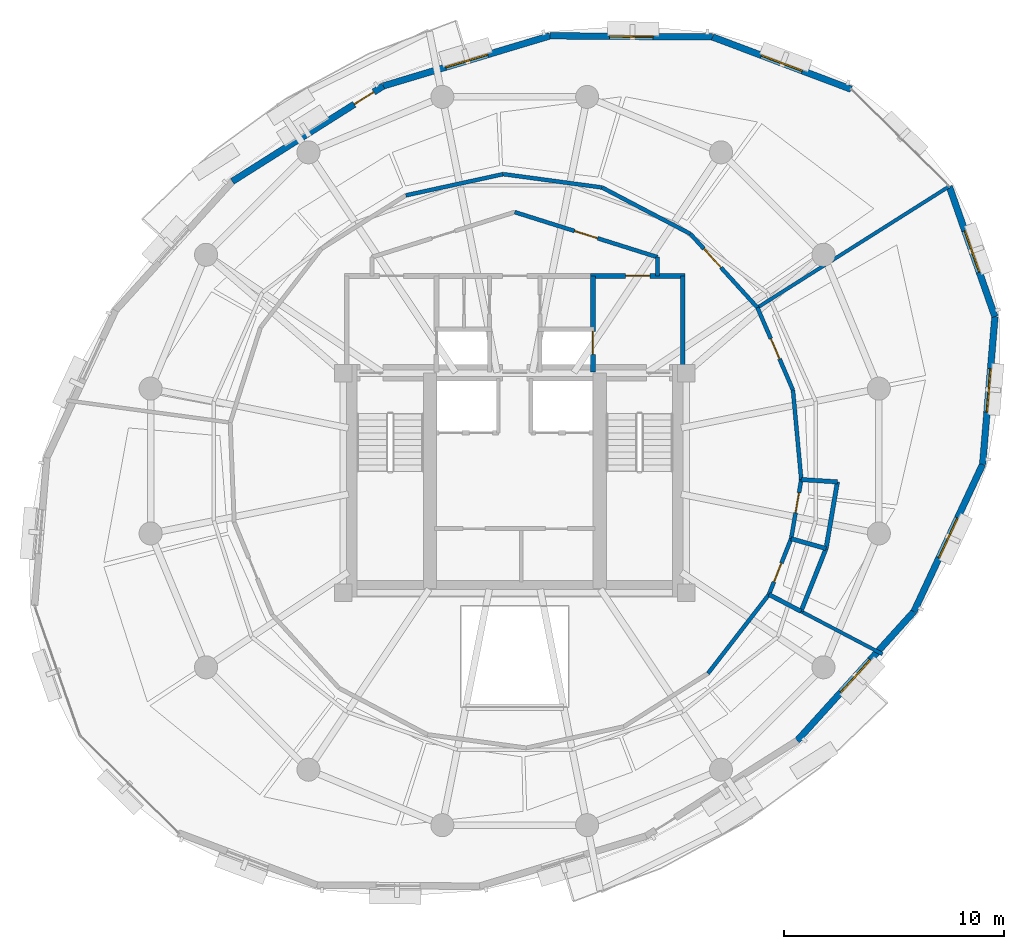
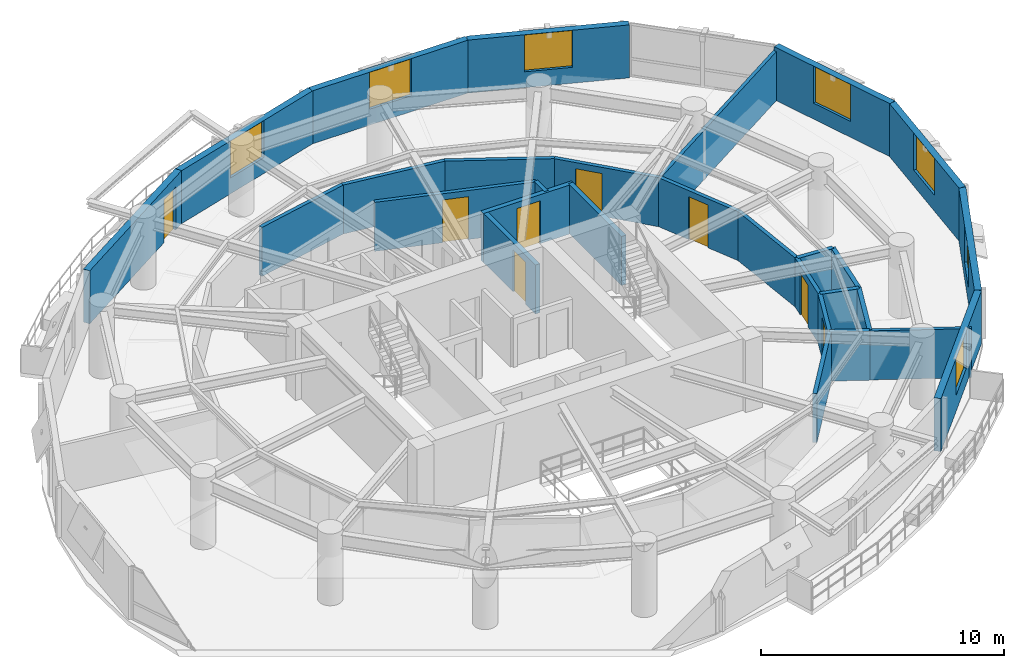
# One storey, part 9 of 12: 29 walls, 8 doors, 7 windows, 15 openings.
"""IFC4 building model written with IfcOpenShell, lengths in metres."""

from ifc_helpers import new_model, si_unit, direction, frame, frame_2d, origin, place, context, subcontext, project, spatial, rectangle, extrude, material, layer, layer_set, type_object, element, fill, save


model = new_model("IFC4")

# Units and contexts
model_context = context("Model", 3, precision=1e-05, world=origin(), true_north=direction((0.0, 1.0)))
body_context = subcontext(model_context, "Body", "Model", "MODEL_VIEW")
ifc_project = project(units=[si_unit("LENGTHUNIT", "METRE"), si_unit("AREAUNIT", "SQUARE_METRE"), si_unit("VOLUMEUNIT", "CUBIC_METRE"), si_unit("PLANEANGLEUNIT", "RADIAN"), si_unit("MASSUNIT", "GRAM", prefix="KILO"), si_unit("THERMODYNAMICTEMPERATUREUNIT", "KELVIN"), si_unit("POWERUNIT", "WATT")], contexts=[model_context])

# Site, building, storey
site_placement = place(None, origin())
site = spatial("IfcSite", under=ifc_project, at=site_placement, CompositionType="ELEMENT")
building_placement = place(site_placement, origin())
building = spatial("IfcBuilding", under=site, at=building_placement, Name="Ocrelia Relay Tower", CompositionType="ELEMENT")
storey_placement = place(building_placement, frame((0.0, 0.0, 170.0)))
storey = spatial("IfcBuildingStorey", under=building, at=storey_placement, Name="L40", CompositionType="ELEMENT", Elevation=170.0)

# Wall
ifc_material_1 = material(Name="Gypsum Fireboard Partition EI60", Category="gypsum")
ifc_layer_1 = layer(ifc_material_1, 0.179931640625, Name="Gypsum Fireboard Partition EI60")
ifc_layer_set_1 = layer_set([ifc_layer_1], Name="Gypsum Fireboard Partition EI60")
wall_type_1 = type_object("IfcWallType", Name="W-CORR-EI60-180", PredefinedType="PARTITIONING", material=ifc_layer_set_1)
wall_1_placement = place(storey_placement, frame((40.5, 35.280029296875, 0.0), z_axis=(0.0, 0.0, 1.0), x_axis=(0.0, -1.0, 0.0)))
element("IfcWall", 1, at=wall_1_placement, inside=storey, type_object=wall_type_1, Name="L40 Smoke Lobby East Return", PredefinedType="PARTITIONING", context=body_context, shape_type="SweptSolid", body=[
    extrude(rectangle(XDim=0.85009765625, YDim=0.179931640625, at=frame_2d((0.425048828125, 0.0))), origin(), (0.0, 0.0, 1.0), 2.4599609375),
])

# Wall, opening, door
wall_2_placement = place(storey_placement, frame((34.0, 37.330078125, 0.0), z_axis=(0.0, 0.0, 1.0), x_axis=(0.953691418528, -0.300786765376, 0.0)))
wall_2 = element("IfcWall", 2, at=wall_2_placement, inside=storey, type_object=wall_type_1, Name="L40 North Smoke Lobby E Screen Wall", PredefinedType="PARTITIONING", context=body_context, shape_type="SweptSolid", body=[
    extrude(rectangle(XDim=6.815673828125, YDim=0.179931640625, at=frame_2d((3.40771484375, 0.0))), origin(), (0.0, 0.0, 1.0), 2.4599609375),
])
opening_1_placement = place(wall_2_placement, frame((2.85791015625, 0.0, 0.0)))
opening_1 = element("IfcOpeningElement", 3, at=opening_1_placement, cuts=wall_2, Name="Opening D-FD60", PredefinedType="OPENING", context=body_context, shape_type="SweptSolid", body=[
    extrude(rectangle(XDim=1.10009765625, YDim=2.14990234375, at=frame_2d((0.550048828125, 1.074951171875))), frame((0.0, 0.10009765625, 0.0), z_axis=(0.0, -1.0, 0.0), x_axis=(1.0, 0.0, 0.0)), (0.0, 0.0, 1.0), 0.199951171875),
])
ifc_material_2 = material(Name="Timber-core 60-min acoustic fire door", Category="wood")
door_type_1 = type_object("IfcDoorType", Name="DR-LOBBY-FD60-1100", OperationType="NOTDEFINED", PredefinedType="DOOR", material=ifc_material_2)
door_1_placement = place(opening_1_placement, origin())
door_1 = element("IfcDoor", 4, at=door_1_placement, inside=storey, type_object=door_type_1, Name="L40 North Smoke Lobby E Fire Door", OperationType="SINGLE_SWING_LEFT", OverallHeight=2.14990234375, OverallWidth=1.10009765625, PredefinedType="DOOR", context=body_context, shape_type="SweptSolid", body=[
    extrude(rectangle(XDim=1.10009765625, YDim=2.14990234375, at=frame_2d((0.550048828125, 1.074951171875))), frame((0.0, 0.02490234375, 0.0), z_axis=(0.0, -1.0, 0.0), x_axis=(1.0, 0.0, 0.0)), (0.0, 0.0, 1.0), 0.050048828125),
])
fill(opening_1, door_1)

wall_3_placement = place(storey_placement, frame((45.572021484375, 19.924560546875, 0.0), z_axis=(0.0, 0.0, 1.0), x_axis=(0.369803470727, 0.929110000505, 0.0)))
wall_3 = element("IfcWall", 5, at=wall_3_placement, inside=storey, type_object=wall_type_1, Name="L40 Staff Toilet Corridor Wall", PredefinedType="PARTITIONING", context=body_context, shape_type="SweptSolid", body=[
    extrude(rectangle(XDim=2.732421875, YDim=0.179931640625, at=frame_2d((1.3662109375, 0.0))), origin(), (0.0, 0.0, 1.0), 2.4599609375),
])
opening_2_placement = place(wall_3_placement, frame((0.61572265625, 0.0, 0.0)))
opening_2 = element("IfcOpeningElement", 6, at=opening_2_placement, cuts=wall_3, Name="Opening D-WC92", PredefinedType="OPENING", context=body_context, shape_type="SweptSolid", body=[
    extrude(rectangle(XDim=0.919921875, YDim=2.10009765625, at=frame_2d((0.4599609375, 1.050048828125))), frame((0.0, 0.10009765625, 0.0), z_axis=(0.0, -1.0, 0.0), x_axis=(1.0, 0.0, 0.0)), (0.0, 0.0, 1.0), 0.199951171875),
])
ifc_material_3 = material(Name="Laminate washroom door", Category="wood")
door_type_2 = type_object("IfcDoorType", Name="DR-WC-920", OperationType="NOTDEFINED", PredefinedType="DOOR", material=ifc_material_3)
door_2_placement = place(opening_2_placement, origin())
door_2 = element("IfcDoor", 7, at=door_2_placement, inside=storey, type_object=door_type_2, Name="L40 Staff Toilet Door", OperationType="SINGLE_SWING_RIGHT", OverallHeight=2.10009765625, OverallWidth=0.919921875, PredefinedType="DOOR", context=body_context, shape_type="SweptSolid", body=[
    extrude(rectangle(XDim=0.919921875, YDim=2.10009765625, at=frame_2d((0.4599609375, 1.050048828125))), frame((0.0, 0.02490234375, 0.0), z_axis=(0.0, -1.0, 0.0), x_axis=(1.0, 0.0, 0.0)), (0.0, 0.0, 1.0), 0.050048828125),
])
fill(opening_2, door_2)

wall_4_placement = place(storey_placement, frame((46.58251953125, 22.46337890625, 0.0), z_axis=(0.0, 0.0, 1.0), x_axis=(0.168440467482, 0.985711828535, 0.0)))
wall_4 = element("IfcWall", 8, at=wall_4_placement, inside=storey, type_object=wall_type_1, Name="L40 Accessible Toilet Corridor Wall", PredefinedType="PARTITIONING", context=body_context, shape_type="SweptSolid", body=[
    extrude(rectangle(XDim=2.732177734375, YDim=0.179931640625, at=frame_2d((1.3662109375, 0.0))), origin(), (0.0, 0.0, 1.0), 2.4599609375),
])
opening_3_placement = place(wall_4_placement, frame((1.19677734375, 0.0, 0.0)))
opening_3 = element("IfcOpeningElement", 9, at=opening_3_placement, cuts=wall_4, Name="Opening D-WC92", PredefinedType="OPENING", context=body_context, shape_type="SweptSolid", body=[
    extrude(rectangle(XDim=0.919921875, YDim=2.10009765625, at=frame_2d((0.4599609375, 1.050048828125))), frame((0.0, 0.10009765625, 0.0), z_axis=(0.0, -1.0, 0.0), x_axis=(1.0, 0.0, 0.0)), (0.0, 0.0, 1.0), 0.199951171875),
])
door_3_placement = place(opening_3_placement, origin())
door_3 = element("IfcDoor", 10, at=door_3_placement, inside=storey, type_object=door_type_2, Name="L40 Accessible Toilet Door", OperationType="SINGLE_SWING_LEFT", OverallHeight=2.10009765625, OverallWidth=0.919921875, PredefinedType="DOOR", context=body_context, shape_type="SweptSolid", body=[
    extrude(rectangle(XDim=0.919921875, YDim=2.10009765625, at=frame_2d((0.4599609375, 1.050048828125))), frame((0.0, 0.02490234375, 0.0), z_axis=(0.0, -1.0, 0.0), x_axis=(1.0, 0.0, 0.0)), (0.0, 0.0, 1.0), 0.050048828125),
])
fill(opening_3, door_3)

# Wall
wall_5_placement = place(storey_placement, frame((47.042724609375, 25.156494140625, 0.0), z_axis=(0.0, 0.0, 1.0), x_axis=(-0.092360448677, 0.995725638678, 0.0)))
element("IfcWall", 11, at=wall_5_placement, inside=storey, type_object=wall_type_1, Name="L40 Spectrum Operations Office Corridor Partition 1", PredefinedType="PARTITIONING", context=body_context, shape_type="SweptSolid", body=[
    extrude(rectangle(XDim=4.08935546875, YDim=0.179931640625, at=frame_2d((2.044677734375, 0.0))), origin(), (0.0, 0.0, 1.0), 2.4599609375),
])

# Wall, opening, door
wall_6_placement = place(storey_placement, frame((46.6650390625, 29.228271484375, 0.0), z_axis=(0.0, 0.0, 1.0), x_axis=(-0.395547192087, 0.918445653717, 0.0)))
wall_6 = element("IfcWall", 12, at=wall_6_placement, inside=storey, type_object=wall_type_1, Name="L40 Spectrum Operations Office Corridor Partition 2", PredefinedType="PARTITIONING", context=body_context, shape_type="SweptSolid", body=[
    extrude(rectangle(XDim=4.089111328125, YDim=0.179931640625, at=frame_2d((2.04443359375, 0.0))), origin(), (0.0, 0.0, 1.0), 2.4599609375),
])
opening_4_placement = place(wall_6_placement, frame((1.544677734375, 0.0, 0.0)))
opening_4 = element("IfcOpeningElement", 13, at=opening_4_placement, cuts=wall_6, Name="Opening D-RM100", PredefinedType="OPENING", context=body_context, shape_type="SweptSolid", body=[
    extrude(rectangle(XDim=1.0, YDim=2.14990234375, at=frame_2d((0.5, 1.074951171875))), frame((0.0, 0.10009765625, 0.0), z_axis=(0.0, -1.0, 0.0), x_axis=(1.0, 0.0, 0.0)), (0.0, 0.0, 1.0), 0.199951171875),
])
ifc_material_4 = material(Name="Acoustic oak veneer fire door", Category="wood")
door_type_3 = type_object("IfcDoorType", Name="DR-ROOM-FD60-1000", OperationType="NOTDEFINED", PredefinedType="DOOR", material=ifc_material_4)
door_4_placement = place(opening_4_placement, origin())
door_4 = element("IfcDoor", 14, at=door_4_placement, inside=storey, type_object=door_type_3, Name="L40 Spectrum Operations Office Entrance Door", OperationType="SINGLE_SWING_RIGHT", OverallHeight=2.14990234375, OverallWidth=1.0, PredefinedType="DOOR", context=body_context, shape_type="SweptSolid", body=[
    extrude(rectangle(XDim=1.0, YDim=2.14990234375, at=frame_2d((0.5, 1.074951171875))), frame((0.0, 0.02490234375, 0.0), z_axis=(0.0, -1.0, 0.0), x_axis=(1.0, 0.0, 0.0)), (0.0, 0.0, 1.0), 0.050048828125),
])
fill(opening_4, door_4)

wall_7_placement = place(storey_placement, frame((45.047607421875, 32.98388671875, 0.0), z_axis=(0.0, 0.0, 1.0), x_axis=(-0.673002003664, 0.739640658066, 0.0)))
wall_7 = element("IfcWall", 15, at=wall_7_placement, inside=storey, type_object=wall_type_1, Name="L40 Cloud Engineering Workspace Corridor Partition 1", PredefinedType="PARTITIONING", context=body_context, shape_type="SweptSolid", body=[
    extrude(rectangle(XDim=4.539306640625, YDim=0.179931640625, at=frame_2d((2.26953125, 0.0))), origin(), (0.0, 0.0, 1.0), 2.4599609375),
])
opening_5_placement = place(wall_7_placement, frame((2.466796875, 0.0, 0.0)))
opening_5 = element("IfcOpeningElement", 16, at=opening_5_placement, cuts=wall_7, Name="Opening D-RM115", PredefinedType="OPENING", context=body_context, shape_type="SweptSolid", body=[
    extrude(rectangle(XDim=1.14990234375, YDim=2.14990234375, at=frame_2d((0.574951171875, 1.074951171875))), frame((0.0, 0.10009765625, 0.0), z_axis=(0.0, -1.0, 0.0), x_axis=(1.0, 0.0, 0.0)), (0.0, 0.0, 1.0), 0.199951171875),
])
ifc_material_5 = material(Name="Wide acoustic oak veneer fire door", Category="wood")
door_type_4 = type_object("IfcDoorType", Name="DR-ROOM-1150", OperationType="NOTDEFINED", PredefinedType="DOOR", material=ifc_material_5)
door_5_placement = place(opening_5_placement, origin())
door_5 = element("IfcDoor", 17, at=door_5_placement, inside=storey, type_object=door_type_4, Name="L40 Cloud Engineering Workspace Entrance Door", OperationType="SINGLE_SWING_LEFT", OverallHeight=2.14990234375, OverallWidth=1.14990234375, PredefinedType="DOOR", context=body_context, shape_type="SweptSolid", body=[
    extrude(rectangle(XDim=1.14990234375, YDim=2.14990234375, at=frame_2d((0.574951171875, 1.074951171875))), frame((0.0, 0.02490234375, 0.0), z_axis=(0.0, -1.0, 0.0), x_axis=(1.0, 0.0, 0.0)), (0.0, 0.0, 1.0), 0.050048828125),
])
fill(opening_5, door_5)

# Walls
wall_8_placement = place(storey_placement, frame((41.99267578125, 36.34130859375, 0.0), z_axis=(0.0, 0.0, 1.0), x_axis=(-0.885387941707, 0.464852872079, 0.0)))
element("IfcWall", 18, at=wall_8_placement, inside=storey, type_object=wall_type_1, Name="L40 Cloud Engineering Workspace Corridor Partition 2", PredefinedType="PARTITIONING", context=body_context, shape_type="SweptSolid", body=[
    extrude(rectangle(XDim=4.539306640625, YDim=0.179931640625, at=frame_2d((2.26953125, 0.0))), origin(), (0.0, 0.0, 1.0), 2.4599609375),
])
wall_9_placement = place(storey_placement, frame((37.9736328125, 38.451416015625, 0.0), z_axis=(0.0, 0.0, 1.0), x_axis=(-0.990983360639, 0.133984995189, 0.0)))
element("IfcWall", 19, at=wall_9_placement, inside=storey, type_object=wall_type_1, Name="L40 Cloud Engineering Workspace Corridor Partition 3", PredefinedType="PARTITIONING", context=body_context, shape_type="SweptSolid", body=[
    extrude(rectangle(XDim=4.5390625, YDim=0.179931640625, at=frame_2d((2.26953125, 0.0))), origin(), (0.0, 0.0, 1.0), 2.4599609375),
])
wall_10_placement = place(storey_placement, frame((33.4755859375, 39.0595703125, 0.0), z_axis=(0.0, 0.0, 1.0), x_axis=(-0.97704365497, -0.213039189548, 0.0)))
element("IfcWall", 20, at=wall_10_placement, inside=storey, type_object=wall_type_1, Name="L40 Cloud Engineering Workspace Corridor Partition 4", PredefinedType="PARTITIONING", context=body_context, shape_type="SweptSolid", body=[
    extrude(rectangle(XDim=4.539306640625, YDim=0.179931640625, at=frame_2d((2.26953125, 0.0))), origin(), (0.0, 0.0, 1.0), 2.4599609375),
])
wall_11_placement = place(storey_placement, frame((42.79638671875, 16.3330078125, 0.0), z_axis=(0.0, 0.0, 1.0), x_axis=(0.611494954268, 0.791248330744, 0.0)))
element("IfcWall", 21, at=wall_11_placement, inside=storey, type_object=wall_type_1, Name="L40 Protocol Simulation Studio Corridor Partition 8", PredefinedType="PARTITIONING", context=body_context, shape_type="SweptSolid", body=[
    extrude(rectangle(XDim=4.5390625, YDim=0.179931640625, at=frame_2d((2.26953125, 0.0))), origin(), (0.0, 0.0, 1.0), 2.4599609375),
])

# Wall, opening, window
ifc_material_6 = material(Name="Precast concrete C40/50 with oxide terracotta", Category="masonry")
ifc_layer_2 = layer(ifc_material_6, 0.300048828125, Name="Precast concrete C40/50 with oxide terracotta")
ifc_layer_set_2 = layer_set([ifc_layer_2], Name="Precast concrete C40/50 with oxide terracotta")
wall_type_2 = type_object("IfcWallType", Name="W-EXT-TERR-300", PredefinedType="SOLIDWALL", material=ifc_layer_set_2)
wall_12_placement = place(storey_placement, frame((49.31494140625, 42.924560546875, 0.0), z_axis=(0.0, 0.0, 1.0), x_axis=(-0.935714914353, 0.352757138917, 0.0)))
wall_12 = element("IfcWall", 22, at=wall_12_placement, inside=storey, type_object=wall_type_2, Name="L40 Oxide Terracotta Facade Wall 02", PredefinedType="SOLIDWALL", context=body_context, shape_type="SweptSolid", body=[
    extrude(rectangle(XDim=6.7451171875, YDim=0.300048828125, at=frame_2d((3.37255859375, 0.0))), origin(), (0.0, 0.0, 1.0), 2.659912109375),
])
opening_6_placement = place(wall_12_placement, frame((2.373046875, 0.0, 0.800048828125)))
opening_6 = element("IfcOpeningElement", 23, at=opening_6_placement, cuts=wall_12, Name="Opening W-03", PredefinedType="OPENING", context=body_context, shape_type="SweptSolid", body=[
    extrude(rectangle(XDim=2.0, YDim=1.85009765625, at=frame_2d((1.0, 0.925048828125))), frame((0.0, 0.16015625, 0.0), z_axis=(0.0, -1.0, 0.0), x_axis=(1.0, 0.0, 0.0)), (0.0, 0.0, 1.0), 0.320068359375),
])
ifc_material_7 = material(Name="Clear double-glazed low-E glass", Category="glass")
window_type = type_object("IfcWindowType", Name="WIN-Z3-2000x2200", PartitioningType="DOUBLE_PANEL_VERTICAL", PredefinedType="WINDOW", material=ifc_material_7)
window_1_placement = place(opening_6_placement, origin())
window_1 = element("IfcWindow", 24, at=window_1_placement, inside=storey, type_object=window_type, Name="L40 Facade Module Window 02", OverallHeight=1.85009765625, OverallWidth=2.0, PartitioningType="SINGLE_PANEL", PredefinedType="WINDOW", context=body_context, shape_type="SweptSolid", body=[
    extrude(rectangle(XDim=2.0, YDim=1.85009765625, at=frame_2d((1.0, 0.925048828125))), frame((0.0, 0.030029296875, 0.0), z_axis=(0.0, -1.0, 0.0), x_axis=(1.0, 0.0, 0.0)), (0.0, 0.0, 1.0), 0.06005859375),
])
fill(opening_6, window_1)

wall_13_placement = place(storey_placement, frame((43.00341796875, 45.303955078125, 0.0), z_axis=(0.0, 0.0, 1.0), x_axis=(-0.999976210217, 0.006897753323, 0.0)))
wall_13 = element("IfcWall", 25, at=wall_13_placement, inside=storey, type_object=wall_type_2, Name="L40 Oxide Terracotta Facade Wall 03", PredefinedType="SOLIDWALL", context=body_context, shape_type="SweptSolid", body=[
    extrude(rectangle(XDim=7.3974609375, YDim=0.300048828125, at=frame_2d((3.69873046875, 0.0))), origin(), (0.0, 0.0, 1.0), 2.659912109375),
])
opening_7_placement = place(wall_13_placement, frame((2.698974609375, 0.0, 0.800048828125)))
opening_7 = element("IfcOpeningElement", 26, at=opening_7_placement, cuts=wall_13, Name="Opening W-03", PredefinedType="OPENING", context=body_context, shape_type="SweptSolid", body=[
    extrude(rectangle(XDim=2.0, YDim=1.85009765625, at=frame_2d((1.0, 0.925048828125))), frame((0.0, 0.16015625, 0.0), z_axis=(0.0, -1.0, 0.0), x_axis=(1.0, 0.0, 0.0)), (0.0, 0.0, 1.0), 0.320068359375),
])
window_2_placement = place(opening_7_placement, origin())
window_2 = element("IfcWindow", 27, at=window_2_placement, inside=storey, type_object=window_type, Name="L40 Facade Module Window 03", OverallHeight=1.85009765625, OverallWidth=2.0, PartitioningType="SINGLE_PANEL", PredefinedType="WINDOW", context=body_context, shape_type="SweptSolid", body=[
    extrude(rectangle(XDim=2.0, YDim=1.85009765625, at=frame_2d((1.0, 0.925048828125))), frame((0.0, 0.030029296875, 0.0), z_axis=(0.0, -1.0, 0.0), x_axis=(1.0, 0.0, 0.0)), (0.0, 0.0, 1.0), 0.06005859375),
])
fill(opening_7, window_2)

wall_14_placement = place(storey_placement, frame((35.606201171875, 45.35498046875, 0.0), z_axis=(0.0, 0.0, 1.0), x_axis=(-0.957615815146, -0.288048521228, 0.0)))
wall_14 = element("IfcWall", 28, at=wall_14_placement, inside=storey, type_object=wall_type_2, Name="L40 Oxide Terracotta Facade Wall 04", PredefinedType="SOLIDWALL", context=body_context, shape_type="SweptSolid", body=[
    extrude(rectangle(XDim=7.92724609375, YDim=0.300048828125, at=frame_2d((3.963623046875, 0.0))), origin(), (0.0, 0.0, 1.0), 2.659912109375),
])
opening_8_placement = place(wall_14_placement, frame((2.964111328125, 0.0, 0.800048828125)))
opening_8 = element("IfcOpeningElement", 29, at=opening_8_placement, cuts=wall_14, Name="Opening W-03", PredefinedType="OPENING", context=body_context, shape_type="SweptSolid", body=[
    extrude(rectangle(XDim=2.0, YDim=1.85009765625, at=frame_2d((1.0, 0.925048828125))), frame((0.0, 0.16015625, 0.0), z_axis=(0.0, -1.0, 0.0), x_axis=(1.0, 0.0, 0.0)), (0.0, 0.0, 1.0), 0.320068359375),
])
window_3_placement = place(opening_8_placement, origin())
window_3 = element("IfcWindow", 30, at=window_3_placement, inside=storey, type_object=window_type, Name="L40 Facade Module Window 04", OverallHeight=1.85009765625, OverallWidth=2.0, PartitioningType="SINGLE_PANEL", PredefinedType="WINDOW", context=body_context, shape_type="SweptSolid", body=[
    extrude(rectangle(XDim=2.0, YDim=1.85009765625, at=frame_2d((1.0, 0.925048828125))), frame((0.0, 0.030029296875, 0.0), z_axis=(0.0, -1.0, 0.0), x_axis=(1.0, 0.0, 0.0)), (0.0, 0.0, 1.0), 0.06005859375),
])
fill(opening_8, window_3)

# Wall, opening, door
wall_15_placement = place(storey_placement, frame((28.014892578125, 43.071533203125, 0.0), z_axis=(0.0, 0.0, 1.0), x_axis=(-0.845259673687, -0.534355765421, 0.0)))
wall_15 = element("IfcWall", 31, at=wall_15_placement, inside=storey, type_object=wall_type_2, Name="L40 Oxide Terracotta Facade Wall 05", PredefinedType="SOLIDWALL", context=body_context, shape_type="SweptSolid", body=[
    extrude(rectangle(XDim=8.126708984375, YDim=0.300048828125, at=frame_2d((4.0634765625, 0.0))), origin(), (0.0, 0.0, 1.0), 2.659912109375),
])
opening_9_placement = place(wall_15_placement, frame((0.510009765625, 0.0, 0.0)))
opening_9 = element("IfcOpeningElement", 32, at=opening_9_placement, cuts=wall_15, Name="Opening DB-105", PredefinedType="OPENING", context=body_context, shape_type="SweptSolid", body=[
    extrude(rectangle(XDim=1.050048828125, YDim=2.14990234375, at=frame_2d((0.52490234375, 1.074951171875))), frame((0.0, 0.16015625, 0.0), z_axis=(0.0, -1.0, 0.0), x_axis=(1.0, 0.0, 0.0)), (0.0, 0.0, 1.0), 0.320068359375),
])
ifc_material_8 = material(Name="Thermally broken aluminium and clear glass", Category="aluminium")
door_type_5 = type_object("IfcDoorType", Name="DR-BALC-1050", OperationType="NOTDEFINED", PredefinedType="DOOR", material=ifc_material_8)
door_6_placement = place(opening_9_placement, origin())
door_6 = element("IfcDoor", 33, at=door_6_placement, inside=storey, type_object=door_type_5, Name="L40 Planted Loggia Balcony Door B1", OperationType="SINGLE_SWING_LEFT", OverallHeight=2.14990234375, OverallWidth=1.050048828125, PredefinedType="DOOR", context=body_context, shape_type="SweptSolid", body=[
    extrude(rectangle(XDim=1.050048828125, YDim=2.14990234375, at=frame_2d((0.52490234375, 1.074951171875))), frame((0.0, 0.02490234375, 0.0), z_axis=(0.0, -1.0, 0.0), x_axis=(1.0, 0.0, 0.0)), (0.0, 0.0, 1.0), 0.050048828125),
])
fill(opening_9, door_6)

# Wall, opening, window
wall_16_placement = place(storey_placement, frame((46.854248046875, 13.27099609375, 0.0), z_axis=(0.0, 0.0, 1.0), x_axis=(0.670978643617, 0.741476675162, 0.0)))
wall_16 = element("IfcWall", 34, at=wall_16_placement, inside=storey, type_object=wall_type_2, Name="L40 Oxide Terracotta Facade Wall 15", PredefinedType="SOLIDWALL", context=body_context, shape_type="SweptSolid", body=[
    extrude(rectangle(XDim=7.927001953125, YDim=0.300048828125, at=frame_2d((3.96337890625, 0.0))), origin(), (0.0, 0.0, 1.0), 2.659912109375),
])
opening_10_placement = place(wall_16_placement, frame((2.964111328125, 0.0, 0.800048828125)))
opening_10 = element("IfcOpeningElement", 35, at=opening_10_placement, cuts=wall_16, Name="Opening W-03", PredefinedType="OPENING", context=body_context, shape_type="SweptSolid", body=[
    extrude(rectangle(XDim=2.0, YDim=1.85009765625, at=frame_2d((1.0, 0.925048828125))), frame((0.0, 0.16015625, 0.0), z_axis=(0.0, -1.0, 0.0), x_axis=(1.0, 0.0, 0.0)), (0.0, 0.0, 1.0), 0.320068359375),
])
window_4_placement = place(opening_10_placement, origin())
window_4 = element("IfcWindow", 36, at=window_4_placement, inside=storey, type_object=window_type, Name="L40 Facade Module Window 15", OverallHeight=1.85009765625, OverallWidth=2.0, PartitioningType="SINGLE_PANEL", PredefinedType="WINDOW", context=body_context, shape_type="SweptSolid", body=[
    extrude(rectangle(XDim=2.0, YDim=1.85009765625, at=frame_2d((1.0, 0.925048828125))), frame((0.0, 0.030029296875, 0.0), z_axis=(0.0, -1.0, 0.0), x_axis=(1.0, 0.0, 0.0)), (0.0, 0.0, 1.0), 0.06005859375),
])
fill(opening_10, window_4)

wall_17_placement = place(storey_placement, frame((52.173095703125, 19.148681640625, 0.0), z_axis=(0.0, 0.0, 1.0), x_axis=(0.422665033613, 0.906285975485, 0.0)))
wall_17 = element("IfcWall", 37, at=wall_17_placement, inside=storey, type_object=wall_type_2, Name="L40 Oxide Terracotta Facade Wall 16", PredefinedType="SOLIDWALL", context=body_context, shape_type="SweptSolid", body=[
    extrude(rectangle(XDim=7.397705078125, YDim=0.300048828125, at=frame_2d((3.69873046875, 0.0))), origin(), (0.0, 0.0, 1.0), 2.659912109375),
])
opening_11_placement = place(wall_17_placement, frame((2.698974609375, 0.0, 0.800048828125)))
opening_11 = element("IfcOpeningElement", 38, at=opening_11_placement, cuts=wall_17, Name="Opening W-03", PredefinedType="OPENING", context=body_context, shape_type="SweptSolid", body=[
    extrude(rectangle(XDim=2.0, YDim=1.85009765625, at=frame_2d((1.0, 0.925048828125))), frame((0.0, 0.16015625, 0.0), z_axis=(0.0, -1.0, 0.0), x_axis=(1.0, 0.0, 0.0)), (0.0, 0.0, 1.0), 0.320068359375),
])
window_5_placement = place(opening_11_placement, origin())
window_5 = element("IfcWindow", 39, at=window_5_placement, inside=storey, type_object=window_type, Name="L40 Facade Module Window 16", OverallHeight=1.85009765625, OverallWidth=2.0, PartitioningType="SINGLE_PANEL", PredefinedType="WINDOW", context=body_context, shape_type="SweptSolid", body=[
    extrude(rectangle(XDim=2.0, YDim=1.85009765625, at=frame_2d((1.0, 0.925048828125))), frame((0.0, 0.030029296875, 0.0), z_axis=(0.0, -1.0, 0.0), x_axis=(1.0, 0.0, 0.0)), (0.0, 0.0, 1.0), 0.06005859375),
])
fill(opening_11, window_5)

wall_18_placement = place(storey_placement, frame((55.2998046875, 25.85302734375, 0.0), z_axis=(0.0, 0.0, 1.0), x_axis=(0.082706983643, 0.996573908376, 0.0)))
wall_18 = element("IfcWall", 40, at=wall_18_placement, inside=storey, type_object=wall_type_2, Name="L40 Oxide Terracotta Facade Wall 17", PredefinedType="SOLIDWALL", context=body_context, shape_type="SweptSolid", body=[
    extrude(rectangle(XDim=6.7451171875, YDim=0.300048828125, at=frame_2d((3.37255859375, 0.0))), origin(), (0.0, 0.0, 1.0), 2.659912109375),
])
opening_12_placement = place(wall_18_placement, frame((2.373046875, 0.0, 0.800048828125)))
opening_12 = element("IfcOpeningElement", 41, at=opening_12_placement, cuts=wall_18, Name="Opening W-03", PredefinedType="OPENING", context=body_context, shape_type="SweptSolid", body=[
    extrude(rectangle(XDim=2.0, YDim=1.85009765625, at=frame_2d((1.0, 0.925048828125))), frame((0.0, 0.16015625, 0.0), z_axis=(0.0, -1.0, 0.0), x_axis=(1.0, 0.0, 0.0)), (0.0, 0.0, 1.0), 0.320068359375),
])
window_6_placement = place(opening_12_placement, origin())
window_6 = element("IfcWindow", 42, at=window_6_placement, inside=storey, type_object=window_type, Name="L40 Facade Module Window 17", OverallHeight=1.85009765625, OverallWidth=2.0, PartitioningType="SINGLE_PANEL", PredefinedType="WINDOW", context=body_context, shape_type="SweptSolid", body=[
    extrude(rectangle(XDim=2.0, YDim=1.85009765625, at=frame_2d((1.0, 0.925048828125))), frame((0.0, 0.030029296875, 0.0), z_axis=(0.0, -1.0, 0.0), x_axis=(1.0, 0.0, 0.0)), (0.0, 0.0, 1.0), 0.06005859375),
])
fill(opening_12, window_6)

wall_19_placement = place(storey_placement, frame((55.857666015625, 32.574951171875, 0.0), z_axis=(0.0, 0.0, 1.0), x_axis=(-0.330843687111, 0.943685569826, 0.0)))
wall_19 = element("IfcWall", 43, at=wall_19_placement, inside=storey, type_object=wall_type_2, Name="L40 Oxide Terracotta Facade Wall 18", PredefinedType="SOLIDWALL", context=body_context, shape_type="SweptSolid", body=[
    extrude(rectangle(XDim=6.28271484375, YDim=0.300048828125, at=frame_2d((3.141357421875, 0.0))), origin(), (0.0, 0.0, 1.0), 2.659912109375),
])
opening_13_placement = place(wall_19_placement, frame((2.14111328125, 0.0, 0.800048828125)))
opening_13 = element("IfcOpeningElement", 44, at=opening_13_placement, cuts=wall_19, Name="Opening W-03", PredefinedType="OPENING", context=body_context, shape_type="SweptSolid", body=[
    extrude(rectangle(XDim=2.0, YDim=1.85009765625, at=frame_2d((1.0, 0.925048828125))), frame((0.0, 0.16015625, 0.0), z_axis=(0.0, -1.0, 0.0), x_axis=(1.0, 0.0, 0.0)), (0.0, 0.0, 1.0), 0.320068359375),
])
window_7_placement = place(opening_13_placement, origin())
window_7 = element("IfcWindow", 45, at=window_7_placement, inside=storey, type_object=window_type, Name="L40 Facade Module Window 18", OverallHeight=1.85009765625, OverallWidth=2.0, PartitioningType="SINGLE_PANEL", PredefinedType="WINDOW", context=body_context, shape_type="SweptSolid", body=[
    extrude(rectangle(XDim=2.0, YDim=1.85009765625, at=frame_2d((1.0, 0.925048828125))), frame((0.0, 0.030029296875, 0.0), z_axis=(0.0, -1.0, 0.0), x_axis=(1.0, 0.0, 0.0)), (0.0, 0.0, 1.0), 0.06005859375),
])
fill(opening_13, window_7)

# Wall, opening, door
ifc_material_9 = material(Name="Concrete C50/60", Category="concrete")
ifc_layer_3 = layer(ifc_material_9, 0.219970703125, Name="Concrete C50/60")
ifc_layer_set_3 = layer_set([ifc_layer_3], Name="Concrete C50/60")
wall_type_3 = type_object("IfcWallType", Name="W-FFL-EI120-220", PredefinedType="SOLIDWALL", material=ifc_layer_set_3)
wall_20_placement = place(storey_placement, frame((37.56005859375, 30.050048828125, 0.0), z_axis=(0.0, 0.0, 1.0), x_axis=(0.0, 1.0, 0.0)))
wall_20 = element("IfcWall", 46, at=wall_20_placement, inside=storey, type_object=wall_type_3, Name="L40 E Fire Service Lift Lobby West Wall", PredefinedType="SOLIDWALL", context=body_context, shape_type="SweptSolid", body=[
    extrude(rectangle(XDim=4.3798828125, YDim=0.219970703125, at=frame_2d((2.18994140625, 0.0))), origin(), (0.0, 0.0, 1.0), 2.4599609375),
])
opening_14_placement = place(wall_20_placement, frame((0.800048828125, 0.0, 0.0)))
opening_14 = element("IfcOpeningElement", 47, at=opening_14_placement, cuts=wall_20, Name="Opening LD-FFL2", PredefinedType="OPENING", context=body_context, shape_type="SweptSolid", body=[
    extrude(rectangle(XDim=1.050048828125, YDim=2.10009765625, at=frame_2d((0.52490234375, 1.050048828125))), frame((0.0, 0.1201171875, 0.0), z_axis=(0.0, -1.0, 0.0), x_axis=(1.0, 0.0, 0.0)), (0.0, 0.0, 1.0), 0.239990234375),
])
ifc_material_10 = material(Name="Brushed stainless steel S355 lift landing door", Category="steel")
door_type_6 = type_object("IfcDoorType", Name="DR-LIFT-LAND-1050", OperationType="DOUBLE_DOOR_SLIDING", PredefinedType="USERDEFINED", material=ifc_material_10)
door_7_placement = place(opening_14_placement, origin())
door_7 = element("IfcDoor", 48, at=door_7_placement, inside=storey, type_object=door_type_6, Name="L40 Firefighting Lift FFL2 Sliding Landing Door", ObjectType="LANDING DOOR", OperationType="DOUBLE_DOOR_SLIDING", OverallHeight=2.10009765625, OverallWidth=1.050048828125, PredefinedType="USERDEFINED", context=body_context, shape_type="SweptSolid", body=[
    extrude(rectangle(XDim=1.050048828125, YDim=2.10009765625, at=frame_2d((0.52490234375, 1.050048828125))), frame((0.0, 0.02490234375, 0.0), z_axis=(0.0, -1.0, 0.0), x_axis=(1.0, 0.0, 0.0)), (0.0, 0.0, 1.0), 0.050048828125),
])
fill(opening_14, door_7)

# Wall
wall_21_placement = place(storey_placement, frame((41.64990234375, 30.050048828125, 0.0), z_axis=(0.0, 0.0, 1.0), x_axis=(0.0, 1.0, 0.0)))
element("IfcWall", 49, at=wall_21_placement, inside=storey, type_object=wall_type_3, Name="L40 E Fire Service Lift Lobby East Wall", PredefinedType="SOLIDWALL", context=body_context, shape_type="SweptSolid", body=[
    extrude(rectangle(XDim=4.3798828125, YDim=0.219970703125, at=frame_2d((2.18994140625, 0.0))), origin(), (0.0, 0.0, 1.0), 2.4599609375),
])

# Wall, opening, door
wall_22_placement = place(storey_placement, frame((37.449951171875, 34.429931640625, 0.0), z_axis=(0.0, 0.0, 1.0), x_axis=(1.0, 0.0, 0.0)))
wall_22 = element("IfcWall", 50, at=wall_22_placement, inside=storey, type_object=wall_type_3, Name="L40 E Fire Service Lift Lobby North Wall", PredefinedType="SOLIDWALL", context=body_context, shape_type="SweptSolid", body=[
    extrude(rectangle(XDim=4.31005859375, YDim=0.219970703125, at=frame_2d((2.155029296875, 0.0))), origin(), (0.0, 0.0, 1.0), 2.4599609375),
])
opening_15_placement = place(wall_22_placement, frame((1.60009765625, 0.0, 0.0)))
opening_15 = element("IfcOpeningElement", 51, at=opening_15_placement, cuts=wall_22, Name="Opening D-FD60", PredefinedType="OPENING", context=body_context, shape_type="SweptSolid", body=[
    extrude(rectangle(XDim=1.10009765625, YDim=2.14990234375, at=frame_2d((0.550048828125, 1.074951171875))), frame((0.0, 0.1201171875, 0.0), z_axis=(0.0, -1.0, 0.0), x_axis=(1.0, 0.0, 0.0)), (0.0, 0.0, 1.0), 0.239990234375),
])
door_8_placement = place(opening_15_placement, origin())
door_8 = element("IfcDoor", 52, at=door_8_placement, inside=storey, type_object=door_type_1, Name="L40 E Fire Service Lift Lobby Exit Door", OperationType="SINGLE_SWING_RIGHT", OverallHeight=2.14990234375, OverallWidth=1.10009765625, PredefinedType="DOOR", context=body_context, shape_type="SweptSolid", body=[
    extrude(rectangle(XDim=1.10009765625, YDim=2.14990234375, at=frame_2d((0.550048828125, 1.074951171875))), frame((0.0, 0.02490234375, 0.0), z_axis=(0.0, -1.0, 0.0), x_axis=(1.0, 0.0, 0.0)), (0.0, 0.0, 1.0), 0.050048828125),
])
fill(opening_15, door_8)

# Walls
ifc_material_11 = material(Name="Acoustic Fireboard Partition EI60", Category="gypsum")
ifc_layer_4 = layer(ifc_material_11, 0.159912109375, Name="Acoustic Fireboard Partition EI60")
ifc_layer_set_4 = layer_set([ifc_layer_4], Name="Acoustic Fireboard Partition EI60")
wall_type_4 = type_object("IfcWallType", Name="W-PART-160", PredefinedType="PARTITIONING", material=ifc_layer_set_4)
wall_23_placement = place(storey_placement, frame((47.032958984375, 19.157470703125, 0.0), z_axis=(0.0, 0.0, 1.0), x_axis=(0.885413499746, -0.464804189383, 0.0)))
element("IfcWall", 53, at=wall_23_placement, inside=storey, type_object=wall_type_4, Name="L40 Spectrum Operations Office Radial Partition", PredefinedType="PARTITIONING", context=body_context, shape_type="SweptSolid", body=[
    extrude(rectangle(XDim=4.187255859375, YDim=0.159912109375, at=frame_2d((2.09375, 0.0))), origin(), (0.0, 0.0, 1.0), 2.4599609375),
])
wall_24_placement = place(storey_placement, frame((45.047607421875, 32.98388671875, 0.0), z_axis=(0.0, 0.0, 1.0), x_axis=(0.845251823033, 0.534368183614, 0.0)))
element("IfcWall", 54, at=wall_24_placement, inside=storey, type_object=wall_type_4, Name="L40 Spectrum Operations Office Radial Partition", PredefinedType="PARTITIONING", context=body_context, shape_type="SweptSolid", body=[
    extrude(rectangle(XDim=10.330078125, YDim=0.159912109375, at=frame_2d((5.1650390625, 0.0))), origin(), (0.0, 0.0, 1.0), 2.4599609375),
])
ifc_material_12 = material(Name="Moisture-Resistant Fireboard Chase Wall EI60", Category="gypsum")
ifc_layer_5 = layer(ifc_material_12, 0.199951171875, Name="Moisture-Resistant Fireboard Chase Wall EI60")
ifc_layer_set_5 = layer_set([ifc_layer_5], Name="Moisture-Resistant Fireboard Chase Wall EI60")
wall_type_5 = type_object("IfcWallType", Name="W-PLUMB-200", PredefinedType="PLUMBINGWALL", material=ifc_layer_set_5)
wall_25_placement = place(storey_placement, frame((45.572021484375, 19.924560546875, 0.0), z_axis=(0.0, 0.0, 1.0), x_axis=(0.885373544206, -0.464880293431, 0.0)))
element("IfcWall", 55, at=wall_25_placement, inside=storey, type_object=wall_type_5, Name="L40 Staff Toilet Plumbing Radial Wall", PredefinedType="PLUMBINGWALL", context=body_context, shape_type="SweptSolid", body=[
    extrude(rectangle(XDim=1.650146484375, YDim=0.199951171875, at=frame_2d((0.8251953125, 0.0))), origin(), (0.0, 0.0, 1.0), 2.4599609375),
])
wall_26_placement = place(storey_placement, frame((46.58251953125, 22.46337890625, 0.0), z_axis=(0.0, 0.0, 1.0), x_axis=(0.962682268187, -0.27063416362, 0.0)))
element("IfcWall", 56, at=wall_26_placement, inside=storey, type_object=wall_type_5, Name="L40 Staff Toilet Plumbing Radial Wall", PredefinedType="PLUMBINGWALL", context=body_context, shape_type="SweptSolid", body=[
    extrude(rectangle(XDim=1.64990234375, YDim=0.199951171875, at=frame_2d((0.824951171875, 0.0))), origin(), (0.0, 0.0, 1.0), 2.4599609375),
])
wall_27_placement = place(storey_placement, frame((47.032958984375, 19.157470703125, 0.0), z_axis=(0.0, 0.0, 1.0), x_axis=(0.36976244951, 0.929126326681, 0.0)))
element("IfcWall", 57, at=wall_27_placement, inside=storey, type_object=wall_type_5, Name="L40 Staff Toilet Back Plumbing Wall", PredefinedType="PLUMBINGWALL", context=body_context, shape_type="SweptSolid", body=[
    extrude(rectangle(XDim=3.077392578125, YDim=0.199951171875, at=frame_2d((1.53857421875, 0.0))), origin(), (0.0, 0.0, 1.0), 2.4599609375),
])
wall_28_placement = place(storey_placement, frame((47.042724609375, 25.156494140625, 0.0), z_axis=(0.0, 0.0, 1.0), x_axis=(0.997916713172, -0.064515374695, 0.0)))
element("IfcWall", 58, at=wall_28_placement, inside=storey, type_object=wall_type_5, Name="L40 Accessible Toilet Plumbing Radial Wall", PredefinedType="PLUMBINGWALL", context=body_context, shape_type="SweptSolid", body=[
    extrude(rectangle(XDim=1.64990234375, YDim=0.199951171875, at=frame_2d((0.824951171875, 0.0))), origin(), (0.0, 0.0, 1.0), 2.4599609375),
])
wall_29_placement = place(storey_placement, frame((48.1708984375, 22.016845703125, 0.0), z_axis=(0.0, 0.0, 1.0), x_axis=(0.168437483461, 0.985712338446, 0.0)))
element("IfcWall", 59, at=wall_29_placement, inside=storey, type_object=wall_type_5, Name="L40 Accessible Toilet Back Plumbing Wall", PredefinedType="PLUMBINGWALL", context=body_context, shape_type="SweptSolid", body=[
    extrude(rectangle(XDim=3.0771484375, YDim=0.199951171875, at=frame_2d((1.53857421875, 0.0))), origin(), (0.0, 0.0, 1.0), 2.4599609375),
])

save(model, "model.ifc")
